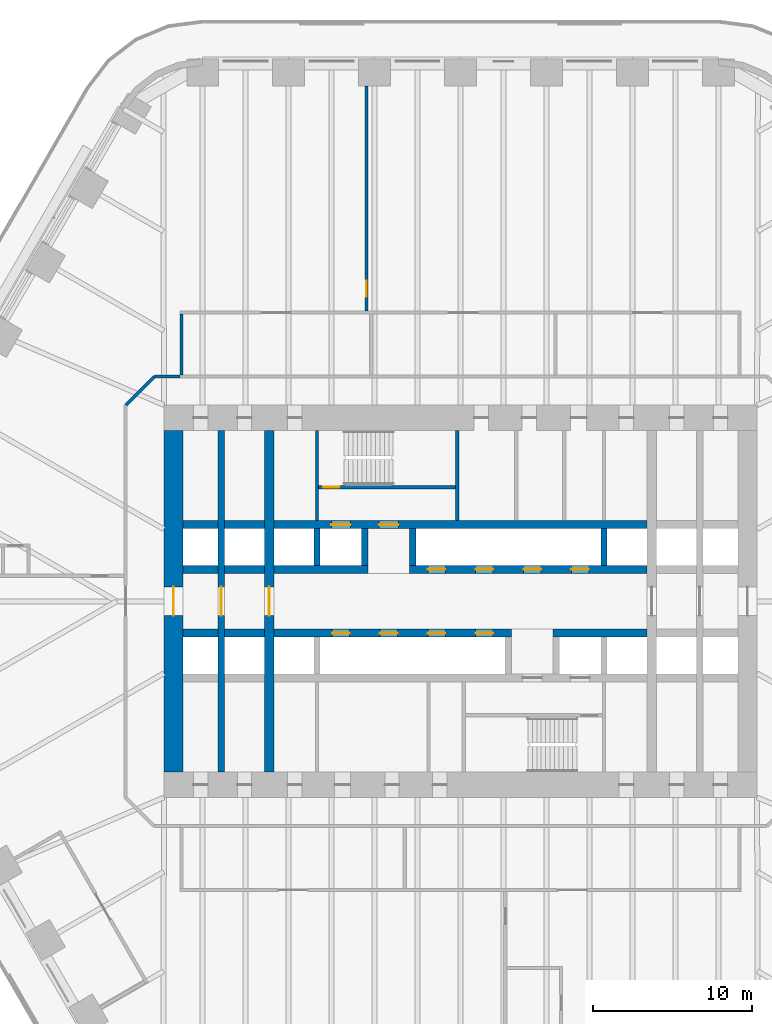
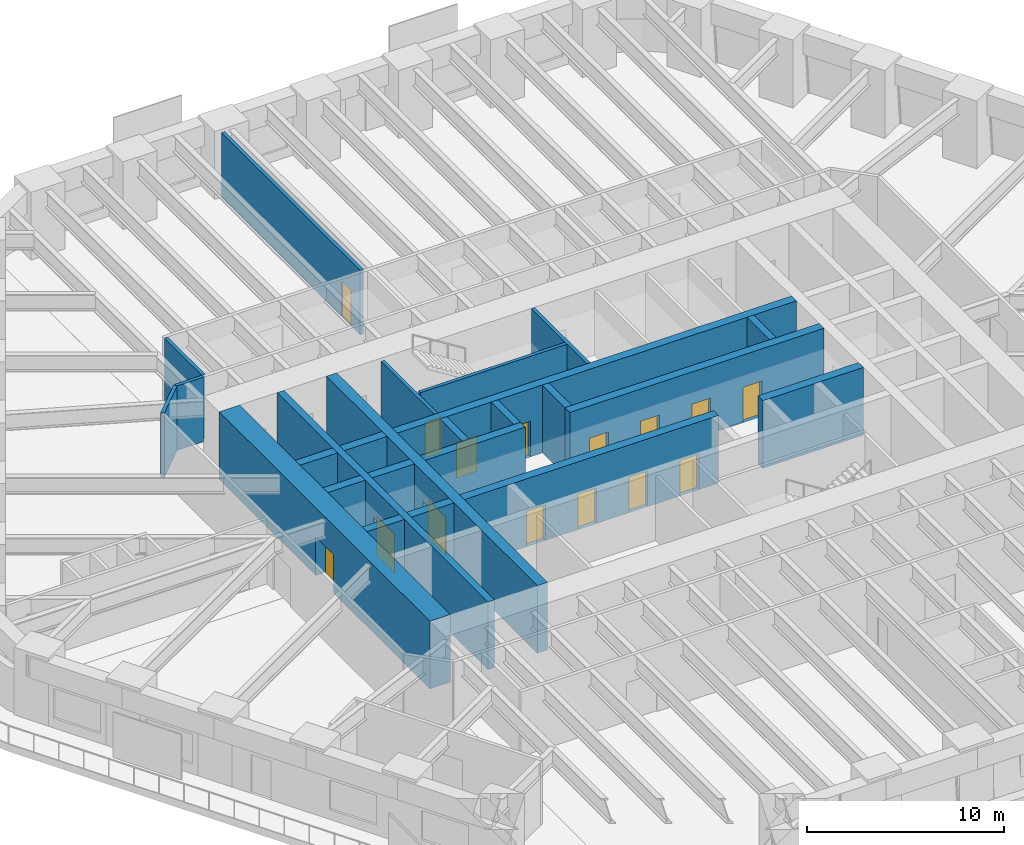
# One storey, part 18 of 23: 25 walls, 15 doors, 15 openings.
"""IFC4 building model written with IfcOpenShell, lengths in metres."""

from ifc_helpers import new_model, si_unit, direction, frame, frame_2d, origin, place, context, subcontext, project, spatial, rectangle, extrude, material, layer, layer_set, type_object, element, fill, save


model = new_model("IFC4")

# Units and contexts
model_context = context("Model", 3, precision=1e-05, world=origin(), true_north=direction((0.0, 1.0)))
body_context = subcontext(model_context, "Body", "Model", "MODEL_VIEW")
ifc_project = project(units=[si_unit("LENGTHUNIT", "METRE"), si_unit("AREAUNIT", "SQUARE_METRE"), si_unit("VOLUMEUNIT", "CUBIC_METRE"), si_unit("PLANEANGLEUNIT", "RADIAN"), si_unit("MASSUNIT", "GRAM", prefix="KILO")], contexts=[model_context])

# Site, building, storey
site_placement = place(None, origin())
site = spatial("IfcSite", under=ifc_project, at=site_placement, CompositionType="ELEMENT")
building_placement = place(site_placement, origin())
building = spatial("IfcBuilding", under=site, at=building_placement, Name="Tarfa Lantern Tower", CompositionType="ELEMENT")
storey_placement = place(building_placement, frame((0.0, 0.0, 82.300048828125)))
storey = spatial("IfcBuildingStorey", under=building, at=storey_placement, Name="L18", CompositionType="ELEMENT", Elevation=82.300048828125)

# Walls
ifc_material_1 = material(Name="Concrete blockwork", Category="masonry")
ifc_layer_1 = layer(ifc_material_1, 0.199951171875)
ifc_layer_set_1 = layer_set([ifc_layer_1], Name="IW1 BLOCKWORK PARTITION 200 EI 120")
wall_type_1 = type_object("IfcWallType", Name="IW1 BLOCKWORK PARTITION 200 EI 120", PredefinedType="PARTITIONING", material=ifc_layer_set_1)
wall_1_placement = place(storey_placement, frame((-9.0, 5.050048828125, 0.0), z_axis=(0.0, 0.0, 1.0), x_axis=(0.0, 1.0, 0.0)))
element("IfcWall", 1, at=wall_1_placement, inside=storey, type_object=wall_type_1, Name="Core partition", PredefinedType="PARTITIONING", context=body_context, shape_type="SweptSolid", body=[
    extrude(rectangle(XDim=5.64990234375, YDim=0.199951171875, at=frame_2d((2.824951171875, 0.0))), origin(), (0.0, 0.0, 1.0), 4.0),
])
ifc_material_2 = material(Name="Gypsum board on steel studs", Category="steel")
ifc_layer_2 = layer(ifc_material_2, 0.2099609375)
ifc_layer_set_2 = layer_set([ifc_layer_2], Name="IW2 ACOUSTIC PARTITION 200")
wall_type_2 = type_object("IfcWallType", Name="IW2 ACOUSTIC PARTITION 200", PredefinedType="PARTITIONING", material=ifc_layer_set_2)
wall_2_placement = place(storey_placement, frame((-17.5, 14.199951171875, 0.0), z_axis=(0.0, 0.0, 1.0), x_axis=(0.0, 1.0, 0.0)))
element("IfcWall", 2, at=wall_2_placement, inside=storey, type_object=wall_type_2, Name="Partition", PredefinedType="PARTITIONING", context=body_context, shape_type="SweptSolid", body=[
    extrude(rectangle(XDim=3.800048828125, YDim=0.199951171875, at=frame_2d((1.89990234375, 0.0))), origin(), (0.0, 0.0, 1.0), 4.0),
])
wall_3_placement = place(storey_placement, frame((-19.199951171875, 14.10009765625, 0.0), z_axis=(0.0, 0.0, 1.0), x_axis=(1.0, 0.0, 0.0)))
element("IfcWall", 3, at=wall_3_placement, inside=storey, type_object=wall_type_2, Name="Partition", PredefinedType="PARTITIONING", context=body_context, shape_type="SweptSolid", body=[
    extrude(rectangle(XDim=1.599853515625, YDim=0.199951171875, at=frame_2d((0.7998046875, 0.0))), origin(), (0.0, 0.0, 1.0), 4.0),
])
wall_4_placement = place(storey_placement, frame((-21.0, 12.300048828125, 0.0), z_axis=(0.0, 0.0, 1.0), x_axis=(0.707106781187, 0.707106781187, 0.0)))
element("IfcWall", 4, at=wall_4_placement, inside=storey, type_object=wall_type_2, Name="Partition", PredefinedType="PARTITIONING", context=body_context, shape_type="SweptSolid", body=[
    extrude(rectangle(XDim=2.545654296875, YDim=0.199951171875, at=frame_2d((1.27294921875, 0.0))), origin(), (0.0, 0.0, 1.0), 4.0),
])

# Wall, opening, door
wall_5_placement = place(storey_placement, frame((-5.89990234375, 18.199951171875, 0.0), z_axis=(0.0, 0.0, 1.0), x_axis=(0.0, 1.0, 0.0)))
wall_5 = element("IfcWall", 5, at=wall_5_placement, inside=storey, type_object=wall_type_2, Name="Partition", PredefinedType="PARTITIONING", context=body_context, shape_type="SweptSolid", body=[
    extrude(rectangle(XDim=14.10009765625, YDim=0.199951171875, at=frame_2d((7.050048828125, 0.0))), origin(), (0.0, 0.0, 1.0), 4.0),
])
opening_1_placement = place(wall_5_placement, frame((0.909912109375, 0.0, 0.0)))
opening_1 = element("IfcOpeningElement", 6, at=opening_1_placement, cuts=wall_5, Name="Opening D44", PredefinedType="OPENING", context=body_context, shape_type="SweptSolid", body=[
    extrude(rectangle(XDim=1.0, YDim=2.199951171875, at=frame_2d((0.5, 1.10009765625))), frame((0.0, 0.10986328125, 0.0), z_axis=(0.0, -1.0, 0.0), x_axis=(1.0, 0.0, 0.0)), (0.0, 0.0, 1.0), 0.219970703125),
])
ifc_material_3 = material(Name="Timber door", Category="wood")
door_type_1 = type_object("IfcDoorType", Name="DR1 ROOM DOOR 1000x2200", OperationType="SINGLE_SWING_LEFT", PredefinedType="DOOR", material=ifc_material_3)
door_1_placement = place(opening_1_placement, origin())
door_1 = element("IfcDoor", 7, at=door_1_placement, inside=storey, type_object=door_type_1, Name="Zone door", OperationType="SINGLE_SWING_RIGHT", OverallHeight=2.199951171875, OverallWidth=1.0, PredefinedType="DOOR", context=body_context, shape_type="SweptSolid", body=[
    extrude(rectangle(XDim=1.0, YDim=2.199951171875, at=frame_2d((0.5, 1.10009765625))), frame((0.0, 0.02490234375, 0.0), z_axis=(0.0, -1.0, 0.0), x_axis=(1.0, 0.0, 0.0)), (0.0, 0.0, 1.0), 0.050048828125),
])
fill(opening_1, door_1)

ifc_material_4 = material(Name="Concrete C80/95", Category="concrete")
ifc_layer_3 = layer(ifc_material_4, 1.199951171875)
ifc_layer_set_3 = layer_set([ifc_layer_3], Name="SW1 CORE WALL 1200")
wall_type_3 = type_object("IfcWallType", Name="SW1 CORE WALL 1200", PredefinedType="SHEAR", material=ifc_layer_set_3)
wall_6_placement = place(storey_placement, frame((-18.0, 10.699951171875, 0.0), z_axis=(0.0, 0.0, 1.0), x_axis=(0.0, -1.0, 0.0)))
wall_6 = element("IfcWall", 8, at=wall_6_placement, inside=storey, type_object=wall_type_3, Name="Core wall W", PredefinedType="SHEAR", context=body_context, shape_type="SweptSolid", body=[
    extrude(rectangle(XDim=21.39990234375, YDim=1.199951171875, at=frame_2d((10.699951171875, 0.0))), origin(), (0.0, 0.0, 1.0), 4.199951171875),
])
opening_2_placement = place(wall_6_placement, frame((9.800048828125, 0.0, 0.0)))
opening_2 = element("IfcOpeningElement", 9, at=opening_2_placement, cuts=wall_6, Name="Opening D16", PredefinedType="OPENING", context=body_context, shape_type="SweptSolid", body=[
    extrude(rectangle(XDim=1.800048828125, YDim=2.39990234375, at=frame_2d((0.89990234375, 1.199951171875))), frame((0.0, 0.60986328125, 0.0), z_axis=(0.0, -1.0, 0.0), x_axis=(1.0, 0.0, 0.0)), (0.0, 0.0, 1.0), 1.219970703125),
])
ifc_material_5 = material(Name="Steel fire door", Category="steel")
door_type_2 = type_object("IfcDoorType", Name="DL1 LOBBY DOOR 1800x2400", OperationType="DOUBLE_DOOR_SINGLE_SWING", PredefinedType="DOOR", material=ifc_material_5)
door_2_placement = place(opening_2_placement, frame((1.800048828125, 0.0, 0.0), z_axis=(0.0, 0.0, 1.0), x_axis=(-1.0, 0.0, 0.0)))
door_2 = element("IfcDoor", 10, at=door_2_placement, inside=storey, type_object=door_type_2, Name="Lift lobby door", OperationType="DOUBLE_DOOR_SINGLE_SWING", OverallHeight=2.39990234375, OverallWidth=1.800048828125, PredefinedType="DOOR", context=body_context, shape_type="SweptSolid", body=[
    extrude(rectangle(XDim=1.800048828125, YDim=2.39990234375, at=frame_2d((0.89990234375, 1.199951171875))), frame((0.0, 0.02490234375, 0.0), z_axis=(0.0, -1.0, 0.0), x_axis=(1.0, 0.0, 0.0)), (0.0, 0.0, 1.0), 0.050048828125),
])
fill(opening_2, door_2)

# Wall
ifc_layer_4 = layer(ifc_material_4, 0.199951171875)
ifc_layer_set_4 = layer_set([ifc_layer_4], Name="SW12 CORE WALL 200")
wall_type_4 = type_object("IfcWallType", Name="SW12 CORE WALL 200", PredefinedType="SHEAR", material=ifc_layer_set_4)
wall_7_placement = place(storey_placement, frame((-0.199951171875, 5.050048828125, 0.0), z_axis=(0.0, 0.0, 1.0), x_axis=(0.0, 1.0, 0.0)))
element("IfcWall", 11, at=wall_7_placement, inside=storey, type_object=wall_type_4, Name="Core wall stair shaft N", PredefinedType="SHEAR", context=body_context, shape_type="SweptSolid", body=[
    extrude(rectangle(XDim=5.64990234375, YDim=0.199951171875, at=frame_2d((2.824951171875, 0.0))), origin(), (0.0, 0.0, 1.0), 4.199951171875),
])

# Wall, opening, door
wall_8_placement = place(storey_placement, frame((-8.89990234375, 7.14990234375, 0.0), z_axis=(0.0, 0.0, 1.0), x_axis=(1.0, 0.0, 0.0)))
wall_8 = element("IfcWall", 12, at=wall_8_placement, inside=storey, type_object=wall_type_4, Name="Core wall stair partition N", PredefinedType="SHEAR", context=body_context, shape_type="SweptSolid", body=[
    extrude(rectangle(XDim=8.599853515625, YDim=0.199951171875, at=frame_2d((4.2998046875, 0.0))), origin(), (0.0, 0.0, 1.0), 4.199951171875),
])
opening_3_placement = place(wall_8_placement, frame((0.300048828125, 0.0, 0.0)))
opening_3 = element("IfcOpeningElement", 13, at=opening_3_placement, cuts=wall_8, Name="Opening D23", PredefinedType="OPENING", context=body_context, shape_type="SweptSolid", body=[
    extrude(rectangle(XDim=1.0, YDim=2.199951171875, at=frame_2d((0.5, 1.10009765625))), frame((0.0, 0.10986328125, 0.0), z_axis=(0.0, -1.0, 0.0), x_axis=(1.0, 0.0, 0.0)), (0.0, 0.0, 1.0), 0.219970703125),
])
door_type_3 = type_object("IfcDoorType", Name="DF2 STAIR DOOR 1000x2200", OperationType="SINGLE_SWING_LEFT", PredefinedType="DOOR", material=ifc_material_5)
door_3_placement = place(opening_3_placement, origin())
door_3 = element("IfcDoor", 14, at=door_3_placement, inside=storey, type_object=door_type_3, Name="Stair door", OperationType="SINGLE_SWING_RIGHT", OverallHeight=2.199951171875, OverallWidth=1.0, PredefinedType="DOOR", context=body_context, shape_type="SweptSolid", body=[
    extrude(rectangle(XDim=1.0, YDim=2.199951171875, at=frame_2d((0.5, 1.10009765625))), frame((0.0, 0.02490234375, 0.0), z_axis=(0.0, -1.0, 0.0), x_axis=(1.0, 0.0, 0.0)), (0.0, 0.0, 1.0), 0.050048828125),
])
fill(opening_3, door_3)

# Walls
ifc_layer_5 = layer(ifc_material_4, 0.5)
ifc_layer_set_5 = layer_set([ifc_layer_5], Name="SW5 CORE WALL 500")
wall_type_5 = type_object("IfcWallType", Name="SW5 CORE WALL 500", PredefinedType="SHEAR", material=ifc_layer_set_5)
wall_9_placement = place(storey_placement, frame((-17.39990234375, 2.0, 0.0), z_axis=(0.0, 0.0, 1.0), x_axis=(1.0, 0.0, 0.0)))
element("IfcWall", 15, at=wall_9_placement, inside=storey, type_object=wall_type_5, Name="Core wall lobby west N", PredefinedType="SHEAR", context=body_context, shape_type="SweptSolid", body=[
    extrude(rectangle(XDim=2.199951171875, YDim=0.5, at=frame_2d((1.10009765625, 0.0))), origin(), (0.0, 0.0, 1.0), 4.199951171875),
])
wall_10_placement = place(storey_placement, frame((-14.800048828125, 2.0, 0.0), z_axis=(0.0, 0.0, 1.0), x_axis=(1.0, 0.0, 0.0)))
element("IfcWall", 16, at=wall_10_placement, inside=storey, type_object=wall_type_5, Name="Core wall lobby west N", PredefinedType="SHEAR", context=body_context, shape_type="SweptSolid", body=[
    extrude(rectangle(XDim=2.5, YDim=0.5, at=frame_2d((1.25, 0.0))), origin(), (0.0, 0.0, 1.0), 4.199951171875),
])
wall_11_placement = place(storey_placement, frame((-11.699951171875, 2.0, 0.0), z_axis=(0.0, 0.0, 1.0), x_axis=(1.0, 0.0, 0.0)))
element("IfcWall", 17, at=wall_11_placement, inside=storey, type_object=wall_type_5, Name="Core wall lobby west N", PredefinedType="SHEAR", context=body_context, shape_type="SweptSolid", body=[
    extrude(rectangle(XDim=5.89990234375, YDim=0.5, at=frame_2d((2.949951171875, 0.0))), origin(), (0.0, 0.0, 1.0), 4.199951171875),
])

# Wall, openings, doors
wall_12_placement = place(storey_placement, frame((-3.199951171875, 2.0, 0.0), z_axis=(0.0, 0.0, 1.0), x_axis=(1.0, 0.0, 0.0)))
wall_12 = element("IfcWall", 18, at=wall_12_placement, inside=storey, type_object=wall_type_5, Name="Core wall lobby east N", PredefinedType="SHEAR", context=body_context, shape_type="SweptSolid", body=[
    extrude(rectangle(XDim=14.89990234375, YDim=0.5, at=frame_2d((7.449951171875, 0.0))), origin(), (0.0, 0.0, 1.0), 4.199951171875),
])
opening_4_placement = place(wall_12_placement, frame((1.14990234375, 0.0, 0.0)))
opening_4 = element("IfcOpeningElement", 19, at=opening_4_placement, cuts=wall_12, Name="Opening LD03", PredefinedType="OPENING", context=body_context, shape_type="SweptSolid", body=[
    extrude(rectangle(XDim=1.10009765625, YDim=2.199951171875, at=frame_2d((0.550048828125, 1.10009765625))), frame((0.0, 0.260009765625, 0.0), z_axis=(0.0, -1.0, 0.0), x_axis=(1.0, 0.0, 0.0)), (0.0, 0.0, 1.0), 0.52001953125),
])
opening_5_placement = place(wall_12_placement, frame((4.14990234375, 0.0, 0.0)))
opening_5 = element("IfcOpeningElement", 20, at=opening_5_placement, cuts=wall_12, Name="Opening LD04", PredefinedType="OPENING", context=body_context, shape_type="SweptSolid", body=[
    extrude(rectangle(XDim=1.10009765625, YDim=2.199951171875, at=frame_2d((0.550048828125, 1.10009765625))), frame((0.0, 0.260009765625, 0.0), z_axis=(0.0, -1.0, 0.0), x_axis=(1.0, 0.0, 0.0)), (0.0, 0.0, 1.0), 0.52001953125),
])
opening_6_placement = place(wall_12_placement, frame((7.14990234375, 0.0, 0.0)))
opening_6 = element("IfcOpeningElement", 21, at=opening_6_placement, cuts=wall_12, Name="Opening LD05", PredefinedType="OPENING", context=body_context, shape_type="SweptSolid", body=[
    extrude(rectangle(XDim=1.10009765625, YDim=2.199951171875, at=frame_2d((0.550048828125, 1.10009765625))), frame((0.0, 0.260009765625, 0.0), z_axis=(0.0, -1.0, 0.0), x_axis=(1.0, 0.0, 0.0)), (0.0, 0.0, 1.0), 0.52001953125),
])
opening_7_placement = place(wall_12_placement, frame((10.14990234375, 0.0, 0.0)))
opening_7 = element("IfcOpeningElement", 22, at=opening_7_placement, cuts=wall_12, Name="Opening LD06", PredefinedType="OPENING", context=body_context, shape_type="SweptSolid", body=[
    extrude(rectangle(XDim=1.10009765625, YDim=2.199951171875, at=frame_2d((0.550048828125, 1.10009765625))), frame((0.0, 0.260009765625, 0.0), z_axis=(0.0, -1.0, 0.0), x_axis=(1.0, 0.0, 0.0)), (0.0, 0.0, 1.0), 0.52001953125),
])
ifc_material_6 = material(Name="Stainless steel lift door", Category="steel")
door_type_4 = type_object("IfcDoorType", Name="LD2 LIFT LANDING DOOR 1100x2200", OperationType="SLIDING_TO_LEFT", PredefinedType="DOOR", material=ifc_material_6)
door_4_placement = place(opening_4_placement, frame((1.10009765625, 0.0, 0.0), z_axis=(0.0, 0.0, 1.0), x_axis=(-1.0, 0.0, 0.0)))
door_4 = element("IfcDoor", 23, at=door_4_placement, inside=storey, type_object=door_type_4, Name="Landing door PA1", OperationType="SLIDING_TO_LEFT", OverallHeight=2.199951171875, OverallWidth=1.10009765625, PredefinedType="DOOR", context=body_context, shape_type="SweptSolid", body=[
    extrude(rectangle(XDim=1.10009765625, YDim=2.199951171875, at=frame_2d((0.550048828125, 1.10009765625))), frame((0.0, 0.02490234375, 0.0), z_axis=(0.0, -1.0, 0.0), x_axis=(1.0, 0.0, 0.0)), (0.0, 0.0, 1.0), 0.050048828125),
])
fill(opening_4, door_4)
door_5_placement = place(opening_5_placement, frame((1.10009765625, 0.0, 0.0), z_axis=(0.0, 0.0, 1.0), x_axis=(-1.0, 0.0, 0.0)))
door_5 = element("IfcDoor", 24, at=door_5_placement, inside=storey, type_object=door_type_4, Name="Landing door PA2", OperationType="SLIDING_TO_LEFT", OverallHeight=2.199951171875, OverallWidth=1.10009765625, PredefinedType="DOOR", context=body_context, shape_type="SweptSolid", body=[
    extrude(rectangle(XDim=1.10009765625, YDim=2.199951171875, at=frame_2d((0.550048828125, 1.10009765625))), frame((0.0, 0.02490234375, 0.0), z_axis=(0.0, -1.0, 0.0), x_axis=(1.0, 0.0, 0.0)), (0.0, 0.0, 1.0), 0.050048828125),
])
fill(opening_5, door_5)
door_6_placement = place(opening_6_placement, frame((1.10009765625, 0.0, 0.0), z_axis=(0.0, 0.0, 1.0), x_axis=(-1.0, 0.0, 0.0)))
door_6 = element("IfcDoor", 25, at=door_6_placement, inside=storey, type_object=door_type_4, Name="Landing door PA3", OperationType="SLIDING_TO_LEFT", OverallHeight=2.199951171875, OverallWidth=1.10009765625, PredefinedType="DOOR", context=body_context, shape_type="SweptSolid", body=[
    extrude(rectangle(XDim=1.10009765625, YDim=2.199951171875, at=frame_2d((0.550048828125, 1.10009765625))), frame((0.0, 0.02490234375, 0.0), z_axis=(0.0, -1.0, 0.0), x_axis=(1.0, 0.0, 0.0)), (0.0, 0.0, 1.0), 0.050048828125),
])
fill(opening_6, door_6)
door_7_placement = place(opening_7_placement, frame((1.10009765625, 0.0, 0.0), z_axis=(0.0, 0.0, 1.0), x_axis=(-1.0, 0.0, 0.0)))
door_7 = element("IfcDoor", 26, at=door_7_placement, inside=storey, type_object=door_type_4, Name="Landing door PA4", OperationType="SLIDING_TO_LEFT", OverallHeight=2.199951171875, OverallWidth=1.10009765625, PredefinedType="DOOR", context=body_context, shape_type="SweptSolid", body=[
    extrude(rectangle(XDim=1.10009765625, YDim=2.199951171875, at=frame_2d((0.550048828125, 1.10009765625))), frame((0.0, 0.02490234375, 0.0), z_axis=(0.0, -1.0, 0.0), x_axis=(1.0, 0.0, 0.0)), (0.0, 0.0, 1.0), 0.050048828125),
])
fill(opening_7, door_7)

# Walls
wall_13_placement = place(storey_placement, frame((-17.39990234375, 4.800048828125, 0.0), z_axis=(0.0, 0.0, 1.0), x_axis=(1.0, 0.0, 0.0)))
element("IfcWall", 27, at=wall_13_placement, inside=storey, type_object=wall_type_5, Name="Core wall rear N", PredefinedType="SHEAR", context=body_context, shape_type="SweptSolid", body=[
    extrude(rectangle(XDim=2.199951171875, YDim=0.5, at=frame_2d((1.10009765625, 0.0))), origin(), (0.0, 0.0, 1.0), 4.199951171875),
])
wall_14_placement = place(storey_placement, frame((-14.800048828125, 4.800048828125, 0.0), z_axis=(0.0, 0.0, 1.0), x_axis=(1.0, 0.0, 0.0)))
element("IfcWall", 28, at=wall_14_placement, inside=storey, type_object=wall_type_5, Name="Core wall rear N", PredefinedType="SHEAR", context=body_context, shape_type="SweptSolid", body=[
    extrude(rectangle(XDim=2.5, YDim=0.5, at=frame_2d((1.25, 0.0))), origin(), (0.0, 0.0, 1.0), 4.199951171875),
])

# Wall, openings, doors
wall_15_placement = place(storey_placement, frame((-11.699951171875, 4.800048828125, 0.0), z_axis=(0.0, 0.0, 1.0), x_axis=(1.0, 0.0, 0.0)))
wall_15 = element("IfcWall", 29, at=wall_15_placement, inside=storey, type_object=wall_type_5, Name="Core wall rear N", PredefinedType="SHEAR", context=body_context, shape_type="SweptSolid", body=[
    extrude(rectangle(XDim=23.39990234375, YDim=0.5, at=frame_2d((11.699951171875, 0.0))), origin(), (0.0, 0.0, 1.0), 4.199951171875),
])
opening_8_placement = place(wall_15_placement, frame((6.60009765625, 0.0, 0.0)))
opening_8 = element("IfcOpeningElement", 30, at=opening_8_placement, cuts=wall_15, Name="Opening D13", PredefinedType="OPENING", context=body_context, shape_type="SweptSolid", body=[
    extrude(rectangle(XDim=1.199951171875, YDim=2.199951171875, at=frame_2d((0.60009765625, 1.10009765625))), frame((0.0, 0.260009765625, 0.0), z_axis=(0.0, -1.0, 0.0), x_axis=(1.0, 0.0, 0.0)), (0.0, 0.0, 1.0), 0.52001953125),
])
opening_9_placement = place(wall_15_placement, frame((3.60009765625, 0.0, 0.0)))
opening_9 = element("IfcOpeningElement", 31, at=opening_9_placement, cuts=wall_15, Name="Opening LD01", PredefinedType="OPENING", context=body_context, shape_type="SweptSolid", body=[
    extrude(rectangle(XDim=1.199951171875, YDim=2.199951171875, at=frame_2d((0.60009765625, 1.10009765625))), frame((0.0, 0.260009765625, 0.0), z_axis=(0.0, -1.0, 0.0), x_axis=(1.0, 0.0, 0.0)), (0.0, 0.0, 1.0), 0.52001953125),
])
door_type_5 = type_object("IfcDoorType", Name="DF1 FIREFIGHTING LOBBY DOOR 1200x2200", OperationType="SINGLE_SWING_LEFT", PredefinedType="DOOR", material=ifc_material_5)
door_8_placement = place(opening_8_placement, origin())
door_8 = element("IfcDoor", 32, at=door_8_placement, inside=storey, type_object=door_type_5, Name="Firefighting lobby door", OperationType="SINGLE_SWING_LEFT", OverallHeight=2.199951171875, OverallWidth=1.199951171875, PredefinedType="DOOR", context=body_context, shape_type="SweptSolid", body=[
    extrude(rectangle(XDim=1.199951171875, YDim=2.199951171875, at=frame_2d((0.60009765625, 1.10009765625))), frame((0.0, 0.02490234375, 0.0), z_axis=(0.0, -1.0, 0.0), x_axis=(1.0, 0.0, 0.0)), (0.0, 0.0, 1.0), 0.050048828125),
])
fill(opening_8, door_8)
door_type_6 = type_object("IfcDoorType", Name="LD1 LIFT LANDING DOOR 1200x2200", OperationType="SLIDING_TO_LEFT", PredefinedType="DOOR", material=ifc_material_6)
door_9_placement = place(opening_9_placement, origin())
door_9 = element("IfcDoor", 33, at=door_9_placement, inside=storey, type_object=door_type_6, Name="Landing door FL1", OperationType="SLIDING_TO_LEFT", OverallHeight=2.199951171875, OverallWidth=1.199951171875, PredefinedType="DOOR", context=body_context, shape_type="SweptSolid", body=[
    extrude(rectangle(XDim=1.199951171875, YDim=2.199951171875, at=frame_2d((0.60009765625, 1.10009765625))), frame((0.0, 0.02490234375, 0.0), z_axis=(0.0, -1.0, 0.0), x_axis=(1.0, 0.0, 0.0)), (0.0, 0.0, 1.0), 0.050048828125),
])
fill(opening_9, door_9)

# Wall
wall_16_placement = place(storey_placement, frame((11.699951171875, -2.0, 0.0), z_axis=(0.0, 0.0, 1.0), x_axis=(-1.0, 0.0, 0.0)))
element("IfcWall", 34, at=wall_16_placement, inside=storey, type_object=wall_type_5, Name="Core wall lobby west S", PredefinedType="SHEAR", context=body_context, shape_type="SweptSolid", body=[
    extrude(rectangle(XDim=5.89990234375, YDim=0.5, at=frame_2d((2.949951171875, 0.0))), origin(), (0.0, 0.0, 1.0), 4.199951171875),
])

# Wall, openings, doors
wall_17_placement = place(storey_placement, frame((3.199951171875, -2.0, 0.0), z_axis=(0.0, 0.0, 1.0), x_axis=(-1.0, 0.0, 0.0)))
wall_17 = element("IfcWall", 35, at=wall_17_placement, inside=storey, type_object=wall_type_5, Name="Core wall lobby east S", PredefinedType="SHEAR", context=body_context, shape_type="SweptSolid", body=[
    extrude(rectangle(XDim=14.89990234375, YDim=0.5, at=frame_2d((7.449951171875, 0.0))), origin(), (0.0, 0.0, 1.0), 4.199951171875),
])
opening_10_placement = place(wall_17_placement, frame((1.14990234375, 0.0, 0.0)))
opening_10 = element("IfcOpeningElement", 36, at=opening_10_placement, cuts=wall_17, Name="Opening LD07", PredefinedType="OPENING", context=body_context, shape_type="SweptSolid", body=[
    extrude(rectangle(XDim=1.10009765625, YDim=2.199951171875, at=frame_2d((0.550048828125, 1.10009765625))), frame((0.0, 0.260009765625, 0.0), z_axis=(0.0, -1.0, 0.0), x_axis=(1.0, 0.0, 0.0)), (0.0, 0.0, 1.0), 0.52001953125),
])
opening_11_placement = place(wall_17_placement, frame((4.14990234375, 0.0, 0.0)))
opening_11 = element("IfcOpeningElement", 37, at=opening_11_placement, cuts=wall_17, Name="Opening LD08", PredefinedType="OPENING", context=body_context, shape_type="SweptSolid", body=[
    extrude(rectangle(XDim=1.10009765625, YDim=2.199951171875, at=frame_2d((0.550048828125, 1.10009765625))), frame((0.0, 0.260009765625, 0.0), z_axis=(0.0, -1.0, 0.0), x_axis=(1.0, 0.0, 0.0)), (0.0, 0.0, 1.0), 0.52001953125),
])
opening_12_placement = place(wall_17_placement, frame((7.14990234375, 0.0, 0.0)))
opening_12 = element("IfcOpeningElement", 38, at=opening_12_placement, cuts=wall_17, Name="Opening LD09", PredefinedType="OPENING", context=body_context, shape_type="SweptSolid", body=[
    extrude(rectangle(XDim=1.10009765625, YDim=2.199951171875, at=frame_2d((0.550048828125, 1.10009765625))), frame((0.0, 0.260009765625, 0.0), z_axis=(0.0, -1.0, 0.0), x_axis=(1.0, 0.0, 0.0)), (0.0, 0.0, 1.0), 0.52001953125),
])
opening_13_placement = place(wall_17_placement, frame((10.14990234375, 0.0, 0.0)))
opening_13 = element("IfcOpeningElement", 39, at=opening_13_placement, cuts=wall_17, Name="Opening LD10", PredefinedType="OPENING", context=body_context, shape_type="SweptSolid", body=[
    extrude(rectangle(XDim=1.10009765625, YDim=2.199951171875, at=frame_2d((0.550048828125, 1.10009765625))), frame((0.0, 0.260009765625, 0.0), z_axis=(0.0, -1.0, 0.0), x_axis=(1.0, 0.0, 0.0)), (0.0, 0.0, 1.0), 0.52001953125),
])
door_10_placement = place(opening_10_placement, frame((1.10009765625, 0.0, 0.0), z_axis=(0.0, 0.0, 1.0), x_axis=(-1.0, 0.0, 0.0)))
door_10 = element("IfcDoor", 40, at=door_10_placement, inside=storey, type_object=door_type_4, Name="Landing door PA5", OperationType="SLIDING_TO_LEFT", OverallHeight=2.199951171875, OverallWidth=1.10009765625, PredefinedType="DOOR", context=body_context, shape_type="SweptSolid", body=[
    extrude(rectangle(XDim=1.10009765625, YDim=2.199951171875, at=frame_2d((0.550048828125, 1.10009765625))), frame((0.0, 0.02490234375, 0.0), z_axis=(0.0, -1.0, 0.0), x_axis=(1.0, 0.0, 0.0)), (0.0, 0.0, 1.0), 0.050048828125),
])
fill(opening_10, door_10)
door_11_placement = place(opening_11_placement, frame((1.10009765625, 0.0, 0.0), z_axis=(0.0, 0.0, 1.0), x_axis=(-1.0, 0.0, 0.0)))
door_11 = element("IfcDoor", 41, at=door_11_placement, inside=storey, type_object=door_type_4, Name="Landing door PA6", OperationType="SLIDING_TO_LEFT", OverallHeight=2.199951171875, OverallWidth=1.10009765625, PredefinedType="DOOR", context=body_context, shape_type="SweptSolid", body=[
    extrude(rectangle(XDim=1.10009765625, YDim=2.199951171875, at=frame_2d((0.550048828125, 1.10009765625))), frame((0.0, 0.02490234375, 0.0), z_axis=(0.0, -1.0, 0.0), x_axis=(1.0, 0.0, 0.0)), (0.0, 0.0, 1.0), 0.050048828125),
])
fill(opening_11, door_11)
door_12_placement = place(opening_12_placement, frame((1.10009765625, 0.0, 0.0), z_axis=(0.0, 0.0, 1.0), x_axis=(-1.0, 0.0, 0.0)))
door_12 = element("IfcDoor", 42, at=door_12_placement, inside=storey, type_object=door_type_4, Name="Landing door PA7", OperationType="SLIDING_TO_LEFT", OverallHeight=2.199951171875, OverallWidth=1.10009765625, PredefinedType="DOOR", context=body_context, shape_type="SweptSolid", body=[
    extrude(rectangle(XDim=1.10009765625, YDim=2.199951171875, at=frame_2d((0.550048828125, 1.10009765625))), frame((0.0, 0.02490234375, 0.0), z_axis=(0.0, -1.0, 0.0), x_axis=(1.0, 0.0, 0.0)), (0.0, 0.0, 1.0), 0.050048828125),
])
fill(opening_12, door_12)
door_13_placement = place(opening_13_placement, frame((1.10009765625, 0.0, 0.0), z_axis=(0.0, 0.0, 1.0), x_axis=(-1.0, 0.0, 0.0)))
door_13 = element("IfcDoor", 43, at=door_13_placement, inside=storey, type_object=door_type_4, Name="Landing door PA8", OperationType="SLIDING_TO_LEFT", OverallHeight=2.199951171875, OverallWidth=1.10009765625, PredefinedType="DOOR", context=body_context, shape_type="SweptSolid", body=[
    extrude(rectangle(XDim=1.10009765625, YDim=2.199951171875, at=frame_2d((0.550048828125, 1.10009765625))), frame((0.0, 0.02490234375, 0.0), z_axis=(0.0, -1.0, 0.0), x_axis=(1.0, 0.0, 0.0)), (0.0, 0.0, 1.0), 0.050048828125),
])
fill(opening_13, door_13)

# Walls
wall_18_placement = place(storey_placement, frame((-12.300048828125, -2.0, 0.0), z_axis=(0.0, 0.0, 1.0), x_axis=(-1.0, 0.0, 0.0)))
element("IfcWall", 44, at=wall_18_placement, inside=storey, type_object=wall_type_5, Name="Core wall lobby east S", PredefinedType="SHEAR", context=body_context, shape_type="SweptSolid", body=[
    extrude(rectangle(XDim=2.5, YDim=0.5, at=frame_2d((1.25, 0.0))), origin(), (0.0, 0.0, 1.0), 4.199951171875),
])
wall_19_placement = place(storey_placement, frame((-15.199951171875, -2.0, 0.0), z_axis=(0.0, 0.0, 1.0), x_axis=(-1.0, 0.0, 0.0)))
element("IfcWall", 45, at=wall_19_placement, inside=storey, type_object=wall_type_5, Name="Core wall lobby east S", PredefinedType="SHEAR", context=body_context, shape_type="SweptSolid", body=[
    extrude(rectangle(XDim=2.199951171875, YDim=0.5, at=frame_2d((1.10009765625, 0.0))), origin(), (0.0, 0.0, 1.0), 4.199951171875),
])

# Wall, opening, door
ifc_layer_6 = layer(ifc_material_4, 0.39990234375)
ifc_layer_set_6 = layer_set([ifc_layer_6], Name="SW6 CORE WALL 400")
wall_type_6 = type_object("IfcWallType", Name="SW6 CORE WALL 400", PredefinedType="SHEAR", material=ifc_layer_set_6)
wall_20_placement = place(storey_placement, frame((-15.0, -10.699951171875, 0.0), z_axis=(0.0, 0.0, 1.0), x_axis=(0.0, 1.0, 0.0)))
wall_20 = element("IfcWall", 46, at=wall_20_placement, inside=storey, type_object=wall_type_6, Name="Core wall cross 15 m west", PredefinedType="SHEAR", context=body_context, shape_type="SweptSolid", body=[
    extrude(rectangle(XDim=21.39990234375, YDim=0.39990234375, at=frame_2d((10.699951171875, 0.0))), origin(), (0.0, 0.0, 1.0), 4.199951171875),
])
opening_14_placement = place(wall_20_placement, frame((9.800048828125, 0.0, 0.0)))
opening_14 = element("IfcOpeningElement", 47, at=opening_14_placement, cuts=wall_20, Name="Opening D28", PredefinedType="OPENING", context=body_context, shape_type="SweptSolid", body=[
    extrude(rectangle(XDim=1.800048828125, YDim=2.39990234375, at=frame_2d((0.89990234375, 1.199951171875))), frame((0.0, 0.2099609375, 0.0), z_axis=(0.0, -1.0, 0.0), x_axis=(1.0, 0.0, 0.0)), (0.0, 0.0, 1.0), 0.419921875),
])
door_14_placement = place(opening_14_placement, origin())
door_14 = element("IfcDoor", 48, at=door_14_placement, inside=storey, type_object=door_type_2, Name="Lift lobby door", OperationType="DOUBLE_DOOR_SINGLE_SWING", OverallHeight=2.39990234375, OverallWidth=1.800048828125, PredefinedType="DOOR", context=body_context, shape_type="SweptSolid", body=[
    extrude(rectangle(XDim=1.800048828125, YDim=2.39990234375, at=frame_2d((0.89990234375, 1.199951171875))), frame((0.0, 0.02490234375, 0.0), z_axis=(0.0, -1.0, 0.0), x_axis=(1.0, 0.0, 0.0)), (0.0, 0.0, 1.0), 0.050048828125),
])
fill(opening_14, door_14)

# Walls
for number, where, z_axis, x_axis, name in (
    (49, (-9.0, 2.25, 0.0), (0.0, 0.0, 1.0), (0.0, 1.0, 0.0), "Core wall divider N"),
    (50, (-6.0, 2.25, 0.0), (0.0, 0.0, 1.0), (0.0, 1.0, 0.0), "Core wall divider N"),
    (51, (-3.0, 2.25, 0.0), (0.0, 0.0, 1.0), (0.0, 1.0, 0.0), "Core wall divider N"),
    (52, (9.0, 2.25, 0.0), (0.0, 0.0, 1.0), (0.0, 1.0, 0.0), "Core wall divider N"),
):
    element("IfcWall", number, at=place(storey_placement, frame(where, z_axis=z_axis, x_axis=x_axis)), inside=storey, type_object=wall_type_6, Name=name, PredefinedType="SHEAR", context=body_context, shape_type="SweptSolid", body=[
        extrude(rectangle(XDim=2.300048828125, YDim=0.39990234375, at=frame_2d((1.14990234375, 0.0))), origin(), (0.0, 0.0, 1.0), 4.199951171875),
    ])

# Wall, opening, door
ifc_layer_7 = layer(ifc_material_4, 0.60009765625)
ifc_layer_set_7 = layer_set([ifc_layer_7], Name="SW9 CORE WALL 600")
wall_type_7 = type_object("IfcWallType", Name="SW9 CORE WALL 600", PredefinedType="SHEAR", material=ifc_layer_set_7)
wall_21_placement = place(storey_placement, frame((-12.0, -10.699951171875, 0.0), z_axis=(0.0, 0.0, 1.0), x_axis=(0.0, 1.0, 0.0)))
wall_21 = element("IfcWall", 53, at=wall_21_placement, inside=storey, type_object=wall_type_7, Name="Core wall cross 12 m west", PredefinedType="SHEAR", context=body_context, shape_type="SweptSolid", body=[
    extrude(rectangle(XDim=21.39990234375, YDim=0.60009765625, at=frame_2d((10.699951171875, 0.0))), origin(), (0.0, 0.0, 1.0), 4.199951171875),
])
opening_15_placement = place(wall_21_placement, frame((9.800048828125, 0.0, 0.0)))
opening_15 = element("IfcOpeningElement", 54, at=opening_15_placement, cuts=wall_21, Name="Opening D27", PredefinedType="OPENING", context=body_context, shape_type="SweptSolid", body=[
    extrude(rectangle(XDim=1.800048828125, YDim=2.39990234375, at=frame_2d((0.89990234375, 1.199951171875))), frame((0.0, 0.31005859375, 0.0), z_axis=(0.0, -1.0, 0.0), x_axis=(1.0, 0.0, 0.0)), (0.0, 0.0, 1.0), 0.6201171875),
])
door_15_placement = place(opening_15_placement, origin())
door_15 = element("IfcDoor", 55, at=door_15_placement, inside=storey, type_object=door_type_2, Name="Lift lobby door", OperationType="DOUBLE_DOOR_SINGLE_SWING", OverallHeight=2.39990234375, OverallWidth=1.800048828125, PredefinedType="DOOR", context=body_context, shape_type="SweptSolid", body=[
    extrude(rectangle(XDim=1.800048828125, YDim=2.39990234375, at=frame_2d((0.89990234375, 1.199951171875))), frame((0.0, 0.02490234375, 0.0), z_axis=(0.0, -1.0, 0.0), x_axis=(1.0, 0.0, 0.0)), (0.0, 0.0, 1.0), 0.050048828125),
])
fill(opening_15, door_15)

save(model, "model.ifc")
